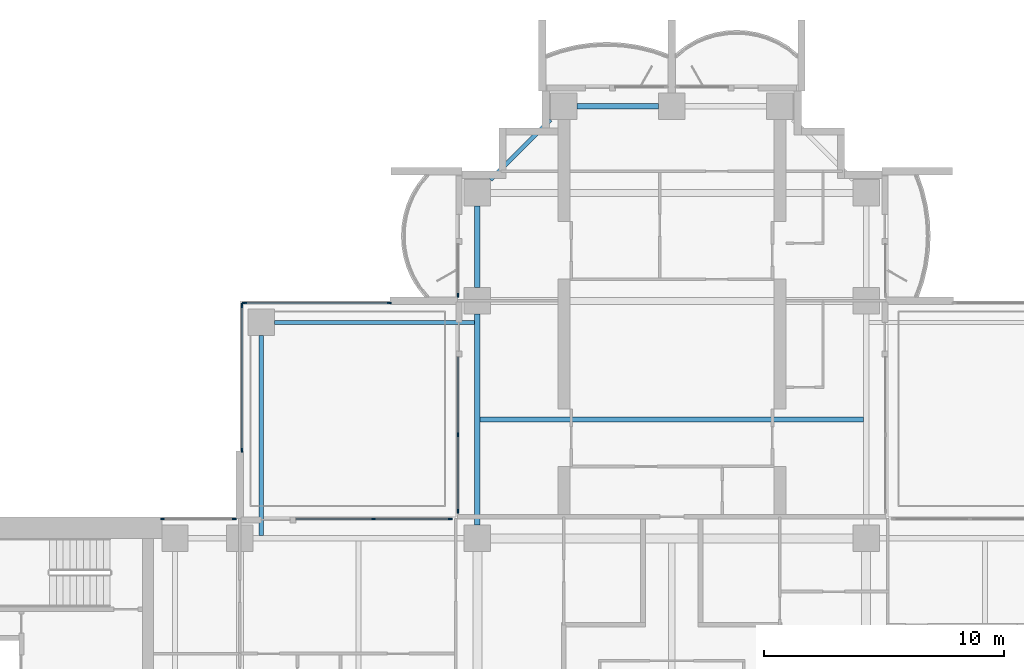
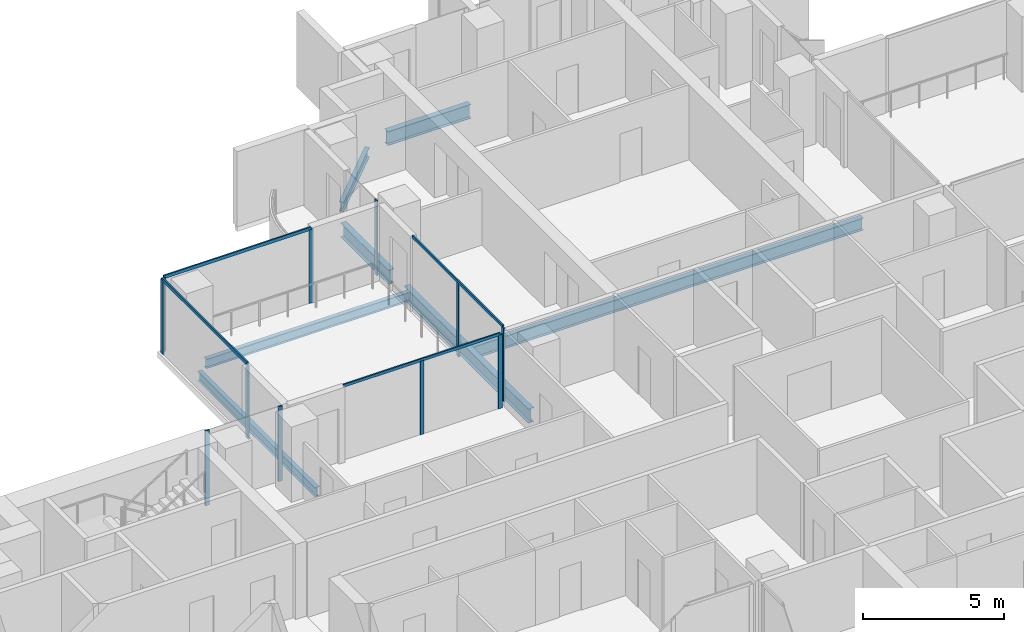
# One storey, part 5 of 19: 15 members, 7 beams, 6 elements without a shape of their own.
"""IFC4 building model written with IfcOpenShell, lengths in metres."""

from ifc_helpers import new_model, si_unit, direction, frame, origin, origin_2d, place, context, subcontext, project, spatial, rectangle, i_section, extrude, material, material_profile, profile_set, type_object, element, aggregate, save


model = new_model("IFC4")

# Units and contexts
model_context = context("Model", 3, precision=1e-05, world=origin(), true_north=direction((0.0, 1.0)))
body_context = subcontext(model_context, "Body", "Model", "MODEL_VIEW")
ifc_project = project(units=[si_unit("LENGTHUNIT", "METRE"), si_unit("AREAUNIT", "SQUARE_METRE"), si_unit("VOLUMEUNIT", "CUBIC_METRE"), si_unit("PLANEANGLEUNIT", "RADIAN"), si_unit("MASSUNIT", "GRAM", prefix="KILO")], contexts=[model_context])

# Site, building, storey
site_placement = place(None, origin())
site = spatial("IfcSite", under=ifc_project, at=site_placement, CompositionType="ELEMENT")
building_placement = place(site_placement, origin())
building = spatial("IfcBuilding", under=site, at=building_placement, Name="Perihelion Cross Residences", CompositionType="ELEMENT")
storey_placement = place(building_placement, frame((0.0, 0.0, 112.89990234375)))
storey = spatial("IfcBuildingStorey", under=building, at=storey_placement, Name="L26", CompositionType="ELEMENT", Elevation=112.89990234375)

# Curtain wall, member
ifc_material_1 = material(Name="Bronze anodised aluminium, tinted glazing", Category="aluminium")
curtain_wall_type_1 = type_object("IfcCurtainWallType", Name="CW1", PredefinedType="NOTDEFINED", material=ifc_material_1)
curtain_wall_1_placement = place(storey_placement, origin())
curtain_wall_1 = element("IfcCurtainWall", 1, at=curtain_wall_1_placement, inside=storey, type_object=curtain_wall_type_1, Name="Curtain wall CW1 L26 north side west bay 1", PredefinedType="NOTDEFINED")
ifc_material_2 = material(Name="Bronze anodised aluminium", Category="aluminium")
ifc_material_profile_1 = material_profile(ifc_material_2, rectangle(XDim=0.06005859375, YDim=0.159912109375, at=origin_2d()), Name="CW1 mullion")
ifc_profile_set_1 = profile_set([ifc_material_profile_1], Name="Bronze anodised aluminium")
member_type_1 = type_object("IfcMemberType", Name="CW1 mullion", PredefinedType="MULLION", material=ifc_profile_set_1)
member_1_placement = place(storey_placement, frame((-8.89990234375, 18.22998046875, 0.0), z_axis=(0.0, 0.0, 1.0), x_axis=(1.0, 0.0, 0.0)))
member_1 = element("IfcMember", 2, at=member_1_placement, type_object=member_type_1, Name="CW1 mullion 2", PredefinedType="MULLION", context=body_context, shape_type="SweptSolid", body=[
    extrude(rectangle(XDim=0.06005859375, YDim=0.159912109375, at=origin_2d()), origin(), (0.0, 0.0, 1.0), 3.25),
])
aggregate(curtain_wall_1, [member_1])

# Curtain wall, members
curtain_wall_2_placement = place(storey_placement, origin())
curtain_wall_2 = element("IfcCurtainWall", 3, at=curtain_wall_2_placement, inside=storey, type_object=curtain_wall_type_1, Name="Curtain wall CW1 L26 north side west bay 2", PredefinedType="NOTDEFINED")
member_2_placement = place(storey_placement, frame((-8.89990234375, 12.425048828125, 0.0), z_axis=(0.0, 0.0, 1.0), x_axis=(1.0, 0.0, 0.0)))
member_2 = element("IfcMember", 4, at=member_2_placement, type_object=member_type_1, Name="CW1 mullion 2", PredefinedType="MULLION", context=body_context, shape_type="SweptSolid", body=[
    extrude(rectangle(XDim=0.06005859375, YDim=0.159912109375, at=origin_2d()), origin(), (0.0, 0.0, 1.0), 3.190185546875),
])
member_3_placement = place(storey_placement, frame((-8.89990234375, 9.22998046875, 0.0), z_axis=(0.0, 0.0, 1.0), x_axis=(1.0, 0.0, 0.0)))
member_3 = element("IfcMember", 5, at=member_3_placement, type_object=member_type_1, Name="CW1 mullion 3", PredefinedType="MULLION", context=body_context, shape_type="SweptSolid", body=[
    extrude(rectangle(XDim=0.06005859375, YDim=0.159912109375, at=origin_2d()), origin(), (0.0, 0.0, 1.0), 3.190185546875),
])

curtain_wall_3_placement = place(storey_placement, origin())
curtain_wall_3 = element("IfcCurtainWall", 6, at=curtain_wall_3_placement, inside=storey, type_object=curtain_wall_type_1, Name="Curtain wall CW1 L26 west side north bay 1", PredefinedType="NOTDEFINED")
member_4_placement = place(storey_placement, frame((-9.22998046875, 8.89990234375, 0.0), z_axis=(0.0, 0.0, 1.0), x_axis=(0.0, -1.0, 0.0)))
member_4 = element("IfcMember", 7, at=member_4_placement, type_object=member_type_1, Name="CW1 mullion 1", PredefinedType="MULLION", context=body_context, shape_type="SweptSolid", body=[
    extrude(rectangle(XDim=0.06005859375, YDim=0.159912109375, at=origin_2d()), origin(), (0.0, 0.0, 1.0), 3.190185546875),
])
member_5_placement = place(storey_placement, frame((-12.425048828125, 8.89990234375, 0.0), z_axis=(0.0, 0.0, 1.0), x_axis=(0.0, -1.0, 0.0)))
member_5 = element("IfcMember", 8, at=member_5_placement, type_object=member_type_1, Name="CW1 mullion 2", PredefinedType="MULLION", context=body_context, shape_type="SweptSolid", body=[
    extrude(rectangle(XDim=0.06005859375, YDim=0.159912109375, at=origin_2d()), origin(), (0.0, 0.0, 1.0), 3.190185546875),
])

curtain_wall_4_placement = place(storey_placement, origin())
curtain_wall_4 = element("IfcCurtainWall", 9, at=curtain_wall_4_placement, inside=storey, type_object=curtain_wall_type_1, Name="Curtain wall CW1 L26 west side north bay 2", PredefinedType="NOTDEFINED")
member_6_placement = place(storey_placement, frame((-18.22998046875, 8.89990234375, 0.0), z_axis=(0.0, 0.0, 1.0), x_axis=(0.0, -1.0, 0.0)))
member_6 = element("IfcMember", 10, at=member_6_placement, type_object=member_type_1, Name="CW1 mullion 1", PredefinedType="MULLION", context=body_context, shape_type="SweptSolid", body=[
    extrude(rectangle(XDim=0.06005859375, YDim=0.159912109375, at=origin_2d()), origin(), (0.0, 0.0, 1.0), 3.25),
])
member_7_placement = place(storey_placement, frame((-21.219970703125, 8.89990234375, 0.0), z_axis=(0.0, 0.0, 1.0), x_axis=(0.0, -1.0, 0.0)))
member_7 = element("IfcMember", 11, at=member_7_placement, type_object=member_type_1, Name="CW1 mullion 2", PredefinedType="MULLION", context=body_context, shape_type="SweptSolid", body=[
    extrude(rectangle(XDim=0.06005859375, YDim=0.159912109375, at=origin_2d()), origin(), (0.0, 0.0, 1.0), 3.25),
])
aggregate(curtain_wall_4, [member_6, member_7])

# Member
ifc_material_3 = material(Name="Bronze anodised aluminium", Category="aluminium")
ifc_material_profile_2 = material_profile(ifc_material_3, rectangle(XDim=0.06005859375, YDim=0.1201171875, at=origin_2d()), Name="CW1 transom")
ifc_profile_set_2 = profile_set([ifc_material_profile_2], Name="Bronze anodised aluminium")
member_type_2 = type_object("IfcMemberType", Name="CW1 transom", PredefinedType="USERDEFINED", material=ifc_profile_set_2)
member_8_placement = place(storey_placement, frame((-8.89990234375, 15.64990234375, 3.22021484375), z_axis=(0.0, -1.0, 0.0), x_axis=(1.0, 0.0, 0.0)))
member_8 = element("IfcMember", 12, at=member_8_placement, type_object=member_type_2, Name="CW1 head transom", ObjectType="TRANSOM", PredefinedType="USERDEFINED", context=body_context, shape_type="SweptSolid", body=[
    extrude(rectangle(XDim=0.06005859375, YDim=0.1201171875, at=origin_2d()), origin(), (0.0, 0.0, 1.0), 6.419921875),
])

aggregate(curtain_wall_2, [member_2, member_3, member_8])

member_9_placement = place(storey_placement, frame((-9.22998046875, 8.89990234375, 3.22021484375), z_axis=(-1.0, 0.0, 0.0), x_axis=(0.0, -1.0, 0.0)))
member_9 = element("IfcMember", 13, at=member_9_placement, type_object=member_type_2, Name="CW1 head transom", ObjectType="TRANSOM", PredefinedType="USERDEFINED", context=body_context, shape_type="SweptSolid", body=[
    extrude(rectangle(XDim=0.06005859375, YDim=0.1201171875, at=origin_2d()), origin(), (0.0, 0.0, 1.0), 6.419921875),
])

aggregate(curtain_wall_3, [member_4, member_5, member_9])

# Curtain wall, members
ifc_material_4 = material(Name="Bronze anodised aluminium, tinted glazing", Category="aluminium")
curtain_wall_type_2 = type_object("IfcCurtainWallType", Name="CW4", PredefinedType="NOTDEFINED", material=ifc_material_4)
curtain_wall_5_placement = place(storey_placement, origin())
curtain_wall_5 = element("IfcCurtainWall", 14, at=curtain_wall_5_placement, inside=storey, type_object=curtain_wall_type_2, Name="Curtain wall CW4 L26 pocket north-west 1 1", PredefinedType="NOTDEFINED")
ifc_material_5 = material(Name="Bronze anodised aluminium", Category="aluminium")
ifc_material_profile_3 = material_profile(ifc_material_5, rectangle(XDim=0.06005859375, YDim=0.179931640625, at=origin_2d()), Name="CW4 mullion")
ifc_profile_set_3 = profile_set([ifc_material_profile_3], Name="Bronze anodised aluminium")
member_type_3 = type_object("IfcMemberType", Name="CW4 mullion", PredefinedType="MULLION", material=ifc_profile_set_3)
member_10_placement = place(storey_placement, frame((-17.89990234375, 11.77001953125, 0.0), z_axis=(0.0, 0.0, 1.0), x_axis=(-1.0, 0.0, 0.0)))
member_10 = element("IfcMember", 15, at=member_10_placement, type_object=member_type_3, Name="CW4 mullion 1", PredefinedType="MULLION", context=body_context, shape_type="SweptSolid", body=[
    extrude(rectangle(XDim=0.06005859375, YDim=0.179931640625, at=origin_2d()), origin(), (0.0, 0.0, 1.0), 3.190185546875),
])
member_11_placement = place(storey_placement, frame((-17.89990234375, 17.800048828125, 0.0), z_axis=(0.0, 0.0, 1.0), x_axis=(-1.0, 0.0, 0.0)))
member_11 = element("IfcMember", 16, at=member_11_placement, type_object=member_type_3, Name="CW4 mullion 2", PredefinedType="MULLION", context=body_context, shape_type="SweptSolid", body=[
    extrude(rectangle(XDim=0.06005859375, YDim=0.179931640625, at=origin_2d()), origin(), (0.0, 0.0, 1.0), 3.190185546875),
])

curtain_wall_6_placement = place(storey_placement, origin())
curtain_wall_6 = element("IfcCurtainWall", 17, at=curtain_wall_6_placement, inside=storey, type_object=curtain_wall_type_2, Name="Curtain wall CW4 L26 pocket north-west 1 2", PredefinedType="NOTDEFINED")
member_12_placement = place(storey_placement, frame((-17.800048828125, 17.89990234375, 0.0), z_axis=(0.0, 0.0, 1.0), x_axis=(0.0, 1.0, 0.0)))
member_12 = element("IfcMember", 18, at=member_12_placement, type_object=member_type_3, Name="CW4 mullion 1", PredefinedType="MULLION", context=body_context, shape_type="SweptSolid", body=[
    extrude(rectangle(XDim=0.06005859375, YDim=0.179931640625, at=origin_2d()), origin(), (0.0, 0.0, 1.0), 3.190185546875),
])
member_13_placement = place(storey_placement, frame((-11.77001953125, 17.89990234375, 0.0), z_axis=(0.0, 0.0, 1.0), x_axis=(0.0, 1.0, 0.0)))
member_13 = element("IfcMember", 19, at=member_13_placement, type_object=member_type_3, Name="CW4 mullion 2", PredefinedType="MULLION", context=body_context, shape_type="SweptSolid", body=[
    extrude(rectangle(XDim=0.06005859375, YDim=0.179931640625, at=origin_2d()), origin(), (0.0, 0.0, 1.0), 3.190185546875),
])

# Member
ifc_material_6 = material(Name="Bronze anodised aluminium", Category="aluminium")
ifc_material_profile_4 = material_profile(ifc_material_6, rectangle(XDim=0.06005859375, YDim=0.139892578125, at=origin_2d()), Name="CW4 transom")
ifc_profile_set_4 = profile_set([ifc_material_profile_4], Name="Bronze anodised aluminium")
member_type_4 = type_object("IfcMemberType", Name="CW4 transom", PredefinedType="USERDEFINED", material=ifc_profile_set_4)
member_14_placement = place(storey_placement, frame((-17.89990234375, 11.77001953125, 3.22021484375), z_axis=(0.0, 1.0, 0.0), x_axis=(-1.0, 0.0, 0.0)))
member_14 = element("IfcMember", 20, at=member_14_placement, type_object=member_type_4, Name="CW4 head transom", ObjectType="TRANSOM", PredefinedType="USERDEFINED", context=body_context, shape_type="SweptSolid", body=[
    extrude(rectangle(XDim=0.06005859375, YDim=0.139892578125, at=origin_2d()), origin(), (0.0, 0.0, 1.0), 6.030029296875),
])

aggregate(curtain_wall_5, [member_10, member_11, member_14])

member_15_placement = place(storey_placement, frame((-17.800048828125, 17.89990234375, 3.22021484375), z_axis=(1.0, 0.0, 0.0), x_axis=(0.0, 1.0, 0.0)))
member_15 = element("IfcMember", 21, at=member_15_placement, type_object=member_type_4, Name="CW4 head transom", ObjectType="TRANSOM", PredefinedType="USERDEFINED", context=body_context, shape_type="SweptSolid", body=[
    extrude(rectangle(XDim=0.06005859375, YDim=0.139892578125, at=origin_2d()), origin(), (0.0, 0.0, 1.0), 6.030029296875),
])

aggregate(curtain_wall_6, [member_12, member_13, member_15])

# Beams
ifc_material_7 = material(Name="Steel S355", Category="steel")
ifc_material_profile_5 = material_profile(ifc_material_7, i_section(OverallWidth=0.177978515625, OverallDepth=0.406005859375, WebThickness=0.0078125, FlangeThickness=0.0126953125, at=origin_2d()), Name="W410x60")
ifc_profile_set_5 = profile_set([ifc_material_profile_5], Name="Steel S355")
beam_type_1 = type_object("IfcBeamType", Name="Core edge beam W410x60", PredefinedType="BEAM", material=ifc_profile_set_5)
for number, where, z_axis, x_axis, name in (
    (22, (-17.10009765625, 8.214599609375, -0.452880859375), (0.0, 1.0, 0.0), (-1.0, 0.0, 0.0), "Core edge beam TB2 L26 corner no. 3"),
    (23, (-8.214599609375, 17.10009765625, -0.452880859375), (-1.0, 0.0, 0.0), (0.0, -1.0, 0.0), "Core edge beam TB2 L26 corner no. 4"),
):
    element("IfcBeam", number, at=place(storey_placement, frame(where, z_axis=z_axis, x_axis=x_axis)), inside=storey, type_object=beam_type_1, Name=name, PredefinedType="BEAM", context=body_context, shape_type="SweptSolid", body=[
        extrude(i_section(OverallWidth=0.177978515625, OverallDepth=0.406005859375, WebThickness=0.0078125, FlangeThickness=0.0126953125, at=origin_2d()), origin(), (0.0, 0.0, 1.0), 8.33544921875),
    ])
ifc_material_8 = material(Name="Steel S355", Category="steel")
ifc_material_profile_6 = material_profile(ifc_material_8, i_section(OverallWidth=0.22900390625, OverallDepth=0.612060546875, WebThickness=0.011962890625, FlangeThickness=0.01953125, at=origin_2d()), Name="W610x125")
ifc_profile_set_6 = profile_set([ifc_material_profile_6], Name="Steel S355")
beam_type_2 = type_object("IfcBeamType", Name="Edge beam W610x125", PredefinedType="SPANDREL", material=ifc_profile_set_6)
for number, where, z_axis, x_axis, name in (
    (24, (-0.550048828125, 26.10009765625, -0.555908203125), (-1.0, 0.0, 0.0), (0.0, -1.0, 0.0), "Edge beam SB3 L26 no. 10"),
    (25, (-8.10009765625, 21.949951171875, -0.555908203125), (0.0, -1.0, 0.0), (1.0, 0.0, 0.0), "Edge beam SB3 L26 no. 7"),
):
    element("IfcBeam", number, at=place(storey_placement, frame(where, z_axis=z_axis, x_axis=x_axis)), inside=storey, type_object=beam_type_2, Name=name, PredefinedType="SPANDREL", context=body_context, shape_type="SweptSolid", body=[
        extrude(i_section(OverallWidth=0.22900390625, OverallDepth=0.612060546875, WebThickness=0.011962890625, FlangeThickness=0.01953125, at=origin_2d()), origin(), (0.0, 0.0, 1.0), 3.39990234375),
    ])
beam_1_placement = place(storey_placement, frame((-8.10009765625, 17.449951171875, -0.555908203125), z_axis=(0.0, -1.0, 0.0), x_axis=(1.0, 0.0, 0.0)))
element("IfcBeam", 26, at=beam_1_placement, inside=storey, type_object=beam_type_2, Name="Edge beam SB3 L26 no. 6", PredefinedType="SPANDREL", context=body_context, shape_type="SweptSolid", body=[
    extrude(i_section(OverallWidth=0.22900390625, OverallDepth=0.612060546875, WebThickness=0.011962890625, FlangeThickness=0.01953125, at=origin_2d()), origin(), (0.0, 0.0, 1.0), 8.800048828125),
])
ifc_material_9 = material(Name="Steel S355", Category="steel")
ifc_material_profile_7 = material_profile(ifc_material_9, i_section(OverallWidth=0.208984375, OverallDepth=0.532958984375, WebThickness=0.01025390625, FlangeThickness=0.015625, at=origin_2d()), Name="W530x92")
ifc_profile_set_7 = profile_set([ifc_material_profile_7], Name="Steel S355")
beam_type_3 = type_object("IfcBeamType", Name="Floor joist W530x92", PredefinedType="JOIST", material=ifc_profile_set_7)
beam_2_placement = place(storey_placement, frame((-7.985595703125, 13.050048828125, -0.516357421875), z_axis=(1.0, 0.0, 0.0), x_axis=(0.0, 1.0, 0.0)))
element("IfcBeam", 27, at=beam_2_placement, inside=storey, type_object=beam_type_3, Name="Joist J4 L26 no. 4", PredefinedType="JOIST", context=body_context, shape_type="SweptSolid", body=[
    extrude(i_section(OverallWidth=0.208984375, OverallDepth=0.532958984375, WebThickness=0.01025390625, FlangeThickness=0.015625, at=origin_2d()), origin(), (0.0, 0.0, 1.0), 15.97119140625),
])
ifc_material_10 = material(Name="Steel S355", Category="steel")
ifc_material_profile_8 = material_profile(ifc_material_10, i_section(OverallWidth=0.180908203125, OverallDepth=0.4169921875, WebThickness=0.010986328125, FlangeThickness=0.018310546875, at=origin_2d()), Name="W410x85")
ifc_profile_set_8 = profile_set([ifc_material_profile_8], Name="Steel S355")
beam_type_4 = type_object("IfcBeamType", Name="Serration edge beam W410x85", PredefinedType="BEAM", material=ifc_profile_set_8)
beam_3_placement = place(storey_placement, frame((-5.050048828125, 25.550048828125, -0.45849609375), z_axis=(-0.707106781187, -0.707106781187, 0.0), x_axis=(0.707106781187, -0.707106781187, 0.0)))
element("IfcBeam", 28, at=beam_3_placement, inside=storey, type_object=beam_type_4, Name="Serration edge beam EB3 L26 no. 1", PredefinedType="BEAM", context=body_context, shape_type="SweptSolid", body=[
    extrude(i_section(OverallWidth=0.180908203125, OverallDepth=0.4169921875, WebThickness=0.010986328125, FlangeThickness=0.018310546875, at=origin_2d()), origin(), (0.0, 0.0, 1.0), 3.53564453125),
])

save(model, "model.ifc")
